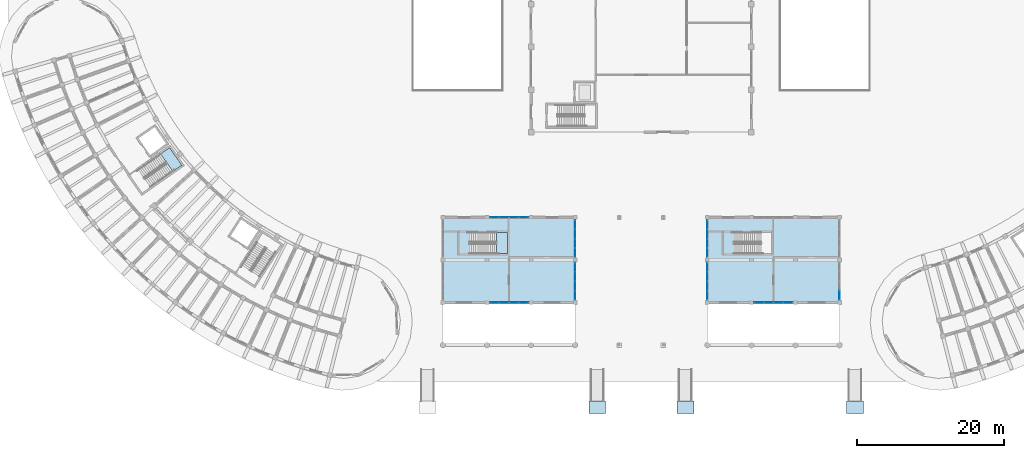
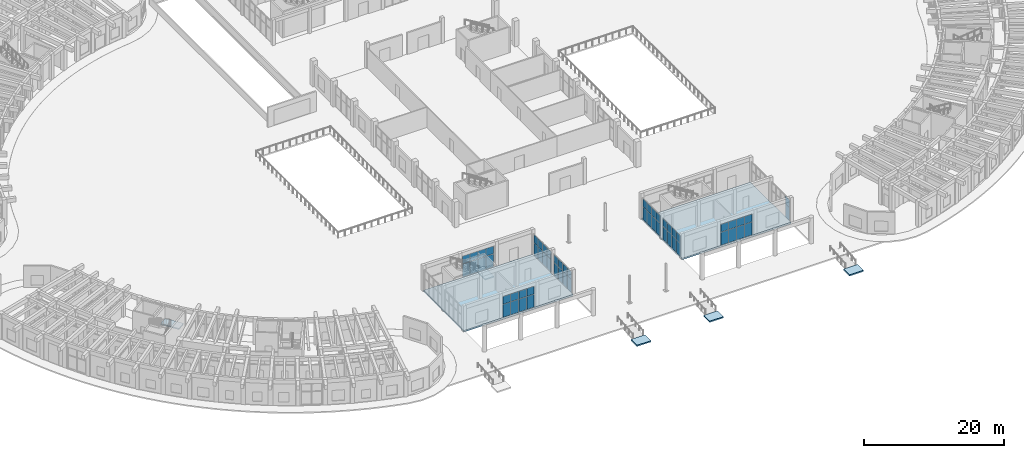
# One storey, part 72 of 132: 58 plates, 7 slabs, 10 elements without a shape of their own.
"""IFC4 building model written with IfcOpenShell, lengths in metres."""

from ifc_helpers import new_model, si_unit, direction, frame, origin, origin_2d, place, context, subcontext, project, spatial, polyline, rectangle, outline, extrude, material, layer, layer_set, type_object, element, aggregate, save


model = new_model("IFC4")

# Units and contexts
model_context = context("Model", 3, precision=1e-05, world=origin(), true_north=direction((0.0, 1.0)))
body_context = subcontext(model_context, "Body", "Model", "MODEL_VIEW")
ifc_project = project(units=[si_unit("LENGTHUNIT", "METRE"), si_unit("AREAUNIT", "SQUARE_METRE"), si_unit("VOLUMEUNIT", "CUBIC_METRE"), si_unit("PLANEANGLEUNIT", "RADIAN"), si_unit("MASSUNIT", "GRAM", prefix="KILO")], contexts=[model_context])

# Site, building, storey
site_placement = place(None, origin())
site = spatial("IfcSite", under=ifc_project, at=site_placement, CompositionType="ELEMENT")
building_placement = place(site_placement, origin())
building = spatial("IfcBuilding", under=site, at=building_placement, Name="Tanwirah Colonnade Gardens", CompositionType="ELEMENT")
storey_placement = place(building_placement, origin())
storey = spatial("IfcBuildingStorey", under=building, at=storey_placement, Name="L00", CompositionType="ELEMENT", Elevation=0.0)

# Curtain wall, plates
ifc_material_1 = material(Name="Bronze-anodised aluminium and solar-control low-E glass", Category="aluminium")
curtain_wall_type = type_object("IfcCurtainWallType", Name="CW-SHP", PredefinedType="NOTDEFINED", material=ifc_material_1)
curtain_wall_1_placement = place(storey_placement, origin())
curtain_wall_1 = element("IfcCurtainWall", 1, at=curtain_wall_1_placement, inside=storey, type_object=curtain_wall_type, Name="Curtain Wall CW-SHP-W-L00-S-1", PredefinedType="NOTDEFINED")
ifc_material_2 = material(Name="Solar-control low-E double glazing", Category="glass")
ifc_layer_1 = layer(ifc_material_2, 0.028076171875)
ifc_layer_set_1 = layer_set([ifc_layer_1], Name="Solar-control low-E double glazing")
plate_type = type_object("IfcPlateType", Name="CWP-GLZ28", PredefinedType="CURTAIN_PANEL", material=ifc_layer_set_1)
plate_1_placement = place(storey_placement, frame((73.027587890625, 16.60009765625, 0.06005859375), z_axis=(0.0, 0.0, 1.0), x_axis=(1.0, 0.0, 0.0)))
plate_1 = element("IfcPlate", 2, at=plate_1_placement, type_object=plate_type, Name="CW-SHP panel 1.1", PredefinedType="CURTAIN_PANEL", context=body_context, shape_type="SweptSolid", body=[
    extrude(rectangle(XDim=1.235107421875, YDim=0.028076171875, at=origin_2d()), origin(), (0.0, 0.0, 1.0), 2.235107421875),
])
plate_2_placement = place(storey_placement, frame((73.027587890625, 16.60009765625, 2.35498046875), z_axis=(0.0, 0.0, 1.0), x_axis=(1.0, 0.0, 0.0)))
plate_2 = element("IfcPlate", 3, at=plate_2_placement, type_object=plate_type, Name="CW-SHP panel 1.2", PredefinedType="CURTAIN_PANEL", context=body_context, shape_type="SweptSolid", body=[
    extrude(rectangle(XDim=1.235107421875, YDim=0.028076171875, at=origin_2d()), origin(), (0.0, 0.0, 1.0), 1.3349609375),
])
plate_3_placement = place(storey_placement, frame((74.33740234375, 16.60009765625, 0.06005859375), z_axis=(0.0, 0.0, 1.0), x_axis=(1.0, 0.0, 0.0)))
plate_3 = element("IfcPlate", 4, at=plate_3_placement, type_object=plate_type, Name="CW-SHP panel 2.1", PredefinedType="CURTAIN_PANEL", context=body_context, shape_type="SweptSolid", body=[
    extrude(rectangle(XDim=1.264892578125, YDim=0.028076171875, at=origin_2d()), origin(), (0.0, 0.0, 1.0), 2.235107421875),
])
plate_4_placement = place(storey_placement, frame((74.33740234375, 16.60009765625, 2.35498046875), z_axis=(0.0, 0.0, 1.0), x_axis=(1.0, 0.0, 0.0)))
plate_4 = element("IfcPlate", 5, at=plate_4_placement, type_object=plate_type, Name="CW-SHP panel 2.2", PredefinedType="CURTAIN_PANEL", context=body_context, shape_type="SweptSolid", body=[
    extrude(rectangle(XDim=1.264892578125, YDim=0.028076171875, at=origin_2d()), origin(), (0.0, 0.0, 1.0), 1.3349609375),
])
plate_5_placement = place(storey_placement, frame((75.66259765625, 16.60009765625, 0.06005859375), z_axis=(0.0, 0.0, 1.0), x_axis=(1.0, 0.0, 0.0)))
plate_5 = element("IfcPlate", 6, at=plate_5_placement, type_object=plate_type, Name="CW-SHP panel 3.1", PredefinedType="CURTAIN_PANEL", context=body_context, shape_type="SweptSolid", body=[
    extrude(rectangle(XDim=1.264892578125, YDim=0.028076171875, at=origin_2d()), origin(), (0.0, 0.0, 1.0), 2.235107421875),
])
plate_6_placement = place(storey_placement, frame((75.66259765625, 16.60009765625, 2.35498046875), z_axis=(0.0, 0.0, 1.0), x_axis=(1.0, 0.0, 0.0)))
plate_6 = element("IfcPlate", 7, at=plate_6_placement, type_object=plate_type, Name="CW-SHP panel 3.2", PredefinedType="CURTAIN_PANEL", context=body_context, shape_type="SweptSolid", body=[
    extrude(rectangle(XDim=1.264892578125, YDim=0.028076171875, at=origin_2d()), origin(), (0.0, 0.0, 1.0), 1.3349609375),
])
plate_7_placement = place(storey_placement, frame((76.972412109375, 16.60009765625, 0.06005859375), z_axis=(0.0, 0.0, 1.0), x_axis=(1.0, 0.0, 0.0)))
plate_7 = element("IfcPlate", 8, at=plate_7_placement, type_object=plate_type, Name="CW-SHP panel 4.1", PredefinedType="CURTAIN_PANEL", context=body_context, shape_type="SweptSolid", body=[
    extrude(rectangle(XDim=1.235107421875, YDim=0.028076171875, at=origin_2d()), origin(), (0.0, 0.0, 1.0), 2.235107421875),
])
plate_8_placement = place(storey_placement, frame((76.972412109375, 16.60009765625, 2.35498046875), z_axis=(0.0, 0.0, 1.0), x_axis=(1.0, 0.0, 0.0)))
plate_8 = element("IfcPlate", 9, at=plate_8_placement, type_object=plate_type, Name="CW-SHP panel 4.2", PredefinedType="CURTAIN_PANEL", context=body_context, shape_type="SweptSolid", body=[
    extrude(rectangle(XDim=1.235107421875, YDim=0.028076171875, at=origin_2d()), origin(), (0.0, 0.0, 1.0), 1.3349609375),
])
aggregate(curtain_wall_1, [plate_1, plate_2, plate_3, plate_4, plate_5, plate_6, plate_7, plate_8])

curtain_wall_2_placement = place(storey_placement, origin())
curtain_wall_2 = element("IfcCurtainWall", 10, at=curtain_wall_2_placement, inside=storey, type_object=curtain_wall_type, Name="Curtain Wall CW-SHP-W-L00-N-1", PredefinedType="NOTDEFINED")
plate_9_placement = place(storey_placement, frame((73.027587890625, 28.199951171875, 0.06005859375), z_axis=(0.0, 0.0, 1.0), x_axis=(1.0, 0.0, 0.0)))
plate_9 = element("IfcPlate", 11, at=plate_9_placement, type_object=plate_type, Name="CW-SHP panel 1.1", PredefinedType="CURTAIN_PANEL", context=body_context, shape_type="SweptSolid", body=[
    extrude(rectangle(XDim=1.235107421875, YDim=0.028076171875, at=origin_2d()), origin(), (0.0, 0.0, 1.0), 2.235107421875),
])
plate_10_placement = place(storey_placement, frame((73.027587890625, 28.199951171875, 2.35498046875), z_axis=(0.0, 0.0, 1.0), x_axis=(1.0, 0.0, 0.0)))
plate_10 = element("IfcPlate", 12, at=plate_10_placement, type_object=plate_type, Name="CW-SHP panel 1.2", PredefinedType="CURTAIN_PANEL", context=body_context, shape_type="SweptSolid", body=[
    extrude(rectangle(XDim=1.235107421875, YDim=0.028076171875, at=origin_2d()), origin(), (0.0, 0.0, 1.0), 1.3349609375),
])
plate_11_placement = place(storey_placement, frame((74.33740234375, 28.199951171875, 0.06005859375), z_axis=(0.0, 0.0, 1.0), x_axis=(1.0, 0.0, 0.0)))
plate_11 = element("IfcPlate", 13, at=plate_11_placement, type_object=plate_type, Name="CW-SHP panel 2.1", PredefinedType="CURTAIN_PANEL", context=body_context, shape_type="SweptSolid", body=[
    extrude(rectangle(XDim=1.264892578125, YDim=0.028076171875, at=origin_2d()), origin(), (0.0, 0.0, 1.0), 2.235107421875),
])
plate_12_placement = place(storey_placement, frame((74.33740234375, 28.199951171875, 2.35498046875), z_axis=(0.0, 0.0, 1.0), x_axis=(1.0, 0.0, 0.0)))
plate_12 = element("IfcPlate", 14, at=plate_12_placement, type_object=plate_type, Name="CW-SHP panel 2.2", PredefinedType="CURTAIN_PANEL", context=body_context, shape_type="SweptSolid", body=[
    extrude(rectangle(XDim=1.264892578125, YDim=0.028076171875, at=origin_2d()), origin(), (0.0, 0.0, 1.0), 1.3349609375),
])
plate_13_placement = place(storey_placement, frame((75.66259765625, 28.199951171875, 0.06005859375), z_axis=(0.0, 0.0, 1.0), x_axis=(1.0, 0.0, 0.0)))
plate_13 = element("IfcPlate", 15, at=plate_13_placement, type_object=plate_type, Name="CW-SHP panel 3.1", PredefinedType="CURTAIN_PANEL", context=body_context, shape_type="SweptSolid", body=[
    extrude(rectangle(XDim=1.264892578125, YDim=0.028076171875, at=origin_2d()), origin(), (0.0, 0.0, 1.0), 2.235107421875),
])
plate_14_placement = place(storey_placement, frame((75.66259765625, 28.199951171875, 2.35498046875), z_axis=(0.0, 0.0, 1.0), x_axis=(1.0, 0.0, 0.0)))
plate_14 = element("IfcPlate", 16, at=plate_14_placement, type_object=plate_type, Name="CW-SHP panel 3.2", PredefinedType="CURTAIN_PANEL", context=body_context, shape_type="SweptSolid", body=[
    extrude(rectangle(XDim=1.264892578125, YDim=0.028076171875, at=origin_2d()), origin(), (0.0, 0.0, 1.0), 1.3349609375),
])
plate_15_placement = place(storey_placement, frame((76.972412109375, 28.199951171875, 0.06005859375), z_axis=(0.0, 0.0, 1.0), x_axis=(1.0, 0.0, 0.0)))
plate_15 = element("IfcPlate", 17, at=plate_15_placement, type_object=plate_type, Name="CW-SHP panel 4.1", PredefinedType="CURTAIN_PANEL", context=body_context, shape_type="SweptSolid", body=[
    extrude(rectangle(XDim=1.235107421875, YDim=0.028076171875, at=origin_2d()), origin(), (0.0, 0.0, 1.0), 2.235107421875),
])
plate_16_placement = place(storey_placement, frame((76.972412109375, 28.199951171875, 2.35498046875), z_axis=(0.0, 0.0, 1.0), x_axis=(1.0, 0.0, 0.0)))
plate_16 = element("IfcPlate", 18, at=plate_16_placement, type_object=plate_type, Name="CW-SHP panel 4.2", PredefinedType="CURTAIN_PANEL", context=body_context, shape_type="SweptSolid", body=[
    extrude(rectangle(XDim=1.235107421875, YDim=0.028076171875, at=origin_2d()), origin(), (0.0, 0.0, 1.0), 1.3349609375),
])
aggregate(curtain_wall_2, [plate_9, plate_10, plate_11, plate_12, plate_13, plate_14, plate_15, plate_16])

curtain_wall_3_placement = place(storey_placement, origin())
curtain_wall_3 = element("IfcCurtainWall", 19, at=curtain_wall_3_placement, inside=storey, type_object=curtain_wall_type, Name="Curtain Wall CW-SHP-W-L00-E-1", PredefinedType="NOTDEFINED")
plate_17_placement = place(storey_placement, frame((84.0, 17.6025390625, 0.06005859375), z_axis=(0.0, 0.0, 1.0), x_axis=(0.0, 1.0, 0.0)))
plate_17 = element("IfcPlate", 20, at=plate_17_placement, type_object=plate_type, Name="CW-SHP panel 1.1", PredefinedType="CURTAIN_PANEL", context=body_context, shape_type="SweptSolid", body=[
    extrude(rectangle(XDim=1.18505859375, YDim=0.028076171875, at=origin_2d()), origin(), (0.0, 0.0, 1.0), 2.235107421875),
])
plate_18_placement = place(storey_placement, frame((84.0, 17.6025390625, 2.35498046875), z_axis=(0.0, 0.0, 1.0), x_axis=(0.0, 1.0, 0.0)))
plate_18 = element("IfcPlate", 21, at=plate_18_placement, type_object=plate_type, Name="CW-SHP panel 1.2", PredefinedType="CURTAIN_PANEL", context=body_context, shape_type="SweptSolid", body=[
    extrude(rectangle(XDim=1.18505859375, YDim=0.028076171875, at=origin_2d()), origin(), (0.0, 0.0, 1.0), 1.3349609375),
])
plate_19_placement = place(storey_placement, frame((84.0, 18.862548828125, 0.06005859375), z_axis=(0.0, 0.0, 1.0), x_axis=(0.0, 1.0, 0.0)))
plate_19 = element("IfcPlate", 22, at=plate_19_placement, type_object=plate_type, Name="CW-SHP panel 2.1", PredefinedType="CURTAIN_PANEL", context=body_context, shape_type="SweptSolid", body=[
    extrude(rectangle(XDim=1.215087890625, YDim=0.028076171875, at=origin_2d()), origin(), (0.0, 0.0, 1.0), 2.235107421875),
])
plate_20_placement = place(storey_placement, frame((84.0, 18.862548828125, 2.35498046875), z_axis=(0.0, 0.0, 1.0), x_axis=(0.0, 1.0, 0.0)))
plate_20 = element("IfcPlate", 23, at=plate_20_placement, type_object=plate_type, Name="CW-SHP panel 2.2", PredefinedType="CURTAIN_PANEL", context=body_context, shape_type="SweptSolid", body=[
    extrude(rectangle(XDim=1.215087890625, YDim=0.028076171875, at=origin_2d()), origin(), (0.0, 0.0, 1.0), 1.3349609375),
])
plate_21_placement = place(storey_placement, frame((84.0, 20.137451171875, 0.06005859375), z_axis=(0.0, 0.0, 1.0), x_axis=(0.0, 1.0, 0.0)))
plate_21 = element("IfcPlate", 24, at=plate_21_placement, type_object=plate_type, Name="CW-SHP panel 3.1", PredefinedType="CURTAIN_PANEL", context=body_context, shape_type="SweptSolid", body=[
    extrude(rectangle(XDim=1.215087890625, YDim=0.028076171875, at=origin_2d()), origin(), (0.0, 0.0, 1.0), 2.235107421875),
])
plate_22_placement = place(storey_placement, frame((84.0, 20.137451171875, 2.35498046875), z_axis=(0.0, 0.0, 1.0), x_axis=(0.0, 1.0, 0.0)))
plate_22 = element("IfcPlate", 25, at=plate_22_placement, type_object=plate_type, Name="CW-SHP panel 3.2", PredefinedType="CURTAIN_PANEL", context=body_context, shape_type="SweptSolid", body=[
    extrude(rectangle(XDim=1.215087890625, YDim=0.028076171875, at=origin_2d()), origin(), (0.0, 0.0, 1.0), 1.3349609375),
])
plate_23_placement = place(storey_placement, frame((84.0, 21.3974609375, 0.06005859375), z_axis=(0.0, 0.0, 1.0), x_axis=(0.0, 1.0, 0.0)))
plate_23 = element("IfcPlate", 26, at=plate_23_placement, type_object=plate_type, Name="CW-SHP panel 4.1", PredefinedType="CURTAIN_PANEL", context=body_context, shape_type="SweptSolid", body=[
    extrude(rectangle(XDim=1.18505859375, YDim=0.028076171875, at=origin_2d()), origin(), (0.0, 0.0, 1.0), 2.235107421875),
])
plate_24_placement = place(storey_placement, frame((84.0, 21.3974609375, 2.35498046875), z_axis=(0.0, 0.0, 1.0), x_axis=(0.0, 1.0, 0.0)))
plate_24 = element("IfcPlate", 27, at=plate_24_placement, type_object=plate_type, Name="CW-SHP panel 4.2", PredefinedType="CURTAIN_PANEL", context=body_context, shape_type="SweptSolid", body=[
    extrude(rectangle(XDim=1.18505859375, YDim=0.028076171875, at=origin_2d()), origin(), (0.0, 0.0, 1.0), 1.3349609375),
])
aggregate(curtain_wall_3, [plate_17, plate_18, plate_19, plate_20, plate_21, plate_22, plate_23, plate_24])

curtain_wall_4_placement = place(storey_placement, origin())
curtain_wall_4 = element("IfcCurtainWall", 28, at=curtain_wall_4_placement, inside=storey, type_object=curtain_wall_type, Name="Curtain Wall CW-SHP-W-L00-E-2", PredefinedType="NOTDEFINED")
plate_25_placement = place(storey_placement, frame((84.0, 23.402587890625, 0.06005859375), z_axis=(0.0, 0.0, 1.0), x_axis=(0.0, 1.0, 0.0)))
plate_25 = element("IfcPlate", 29, at=plate_25_placement, type_object=plate_type, Name="CW-SHP panel 1.1", PredefinedType="CURTAIN_PANEL", context=body_context, shape_type="SweptSolid", body=[
    extrude(rectangle(XDim=1.18505859375, YDim=0.028076171875, at=origin_2d()), origin(), (0.0, 0.0, 1.0), 2.235107421875),
])
plate_26_placement = place(storey_placement, frame((84.0, 23.402587890625, 2.35498046875), z_axis=(0.0, 0.0, 1.0), x_axis=(0.0, 1.0, 0.0)))
plate_26 = element("IfcPlate", 30, at=plate_26_placement, type_object=plate_type, Name="CW-SHP panel 1.2", PredefinedType="CURTAIN_PANEL", context=body_context, shape_type="SweptSolid", body=[
    extrude(rectangle(XDim=1.18505859375, YDim=0.028076171875, at=origin_2d()), origin(), (0.0, 0.0, 1.0), 1.3349609375),
])
plate_27_placement = place(storey_placement, frame((84.0, 24.66259765625, 0.06005859375), z_axis=(0.0, 0.0, 1.0), x_axis=(0.0, 1.0, 0.0)))
plate_27 = element("IfcPlate", 31, at=plate_27_placement, type_object=plate_type, Name="CW-SHP panel 2.1", PredefinedType="CURTAIN_PANEL", context=body_context, shape_type="SweptSolid", body=[
    extrude(rectangle(XDim=1.215087890625, YDim=0.028076171875, at=origin_2d()), origin(), (0.0, 0.0, 1.0), 2.235107421875),
])
plate_28_placement = place(storey_placement, frame((84.0, 24.66259765625, 2.35498046875), z_axis=(0.0, 0.0, 1.0), x_axis=(0.0, 1.0, 0.0)))
plate_28 = element("IfcPlate", 32, at=plate_28_placement, type_object=plate_type, Name="CW-SHP panel 2.2", PredefinedType="CURTAIN_PANEL", context=body_context, shape_type="SweptSolid", body=[
    extrude(rectangle(XDim=1.215087890625, YDim=0.028076171875, at=origin_2d()), origin(), (0.0, 0.0, 1.0), 1.3349609375),
])
plate_29_placement = place(storey_placement, frame((84.0, 25.9375, 0.06005859375), z_axis=(0.0, 0.0, 1.0), x_axis=(0.0, 1.0, 0.0)))
plate_29 = element("IfcPlate", 33, at=plate_29_placement, type_object=plate_type, Name="CW-SHP panel 3.1", PredefinedType="CURTAIN_PANEL", context=body_context, shape_type="SweptSolid", body=[
    extrude(rectangle(XDim=1.215087890625, YDim=0.028076171875, at=origin_2d()), origin(), (0.0, 0.0, 1.0), 2.235107421875),
])
plate_30_placement = place(storey_placement, frame((84.0, 25.9375, 2.35498046875), z_axis=(0.0, 0.0, 1.0), x_axis=(0.0, 1.0, 0.0)))
plate_30 = element("IfcPlate", 34, at=plate_30_placement, type_object=plate_type, Name="CW-SHP panel 3.2", PredefinedType="CURTAIN_PANEL", context=body_context, shape_type="SweptSolid", body=[
    extrude(rectangle(XDim=1.215087890625, YDim=0.028076171875, at=origin_2d()), origin(), (0.0, 0.0, 1.0), 1.3349609375),
])
plate_31_placement = place(storey_placement, frame((84.0, 27.197509765625, 0.06005859375), z_axis=(0.0, 0.0, 1.0), x_axis=(0.0, 1.0, 0.0)))
plate_31 = element("IfcPlate", 35, at=plate_31_placement, type_object=plate_type, Name="CW-SHP panel 4.1", PredefinedType="CURTAIN_PANEL", context=body_context, shape_type="SweptSolid", body=[
    extrude(rectangle(XDim=1.18505859375, YDim=0.028076171875, at=origin_2d()), origin(), (0.0, 0.0, 1.0), 2.235107421875),
])
plate_32_placement = place(storey_placement, frame((84.0, 27.197509765625, 2.35498046875), z_axis=(0.0, 0.0, 1.0), x_axis=(0.0, 1.0, 0.0)))
plate_32 = element("IfcPlate", 36, at=plate_32_placement, type_object=plate_type, Name="CW-SHP panel 4.2", PredefinedType="CURTAIN_PANEL", context=body_context, shape_type="SweptSolid", body=[
    extrude(rectangle(XDim=1.18505859375, YDim=0.028076171875, at=origin_2d()), origin(), (0.0, 0.0, 1.0), 1.3349609375),
])
aggregate(curtain_wall_4, [plate_25, plate_26, plate_27, plate_28, plate_29, plate_30, plate_31, plate_32])

curtain_wall_5_placement = place(storey_placement, origin())
curtain_wall_5 = element("IfcCurtainWall", 37, at=curtain_wall_5_placement, inside=storey, type_object=curtain_wall_type, Name="Curtain Wall CW-SHP-E-L00-S-1", PredefinedType="NOTDEFINED")
plate_33_placement = place(storey_placement, frame((109.027587890625, 16.60009765625, 0.06005859375), z_axis=(0.0, 0.0, 1.0), x_axis=(1.0, 0.0, 0.0)))
plate_33 = element("IfcPlate", 38, at=plate_33_placement, type_object=plate_type, Name="CW-SHP panel 1.1", PredefinedType="CURTAIN_PANEL", context=body_context, shape_type="SweptSolid", body=[
    extrude(rectangle(XDim=1.235107421875, YDim=0.028076171875, at=origin_2d()), origin(), (0.0, 0.0, 1.0), 2.235107421875),
])
plate_34_placement = place(storey_placement, frame((109.027587890625, 16.60009765625, 2.35498046875), z_axis=(0.0, 0.0, 1.0), x_axis=(1.0, 0.0, 0.0)))
plate_34 = element("IfcPlate", 39, at=plate_34_placement, type_object=plate_type, Name="CW-SHP panel 1.2", PredefinedType="CURTAIN_PANEL", context=body_context, shape_type="SweptSolid", body=[
    extrude(rectangle(XDim=1.235107421875, YDim=0.028076171875, at=origin_2d()), origin(), (0.0, 0.0, 1.0), 1.3349609375),
])
plate_35_placement = place(storey_placement, frame((110.33740234375, 16.60009765625, 0.06005859375), z_axis=(0.0, 0.0, 1.0), x_axis=(1.0, 0.0, 0.0)))
plate_35 = element("IfcPlate", 40, at=plate_35_placement, type_object=plate_type, Name="CW-SHP panel 2.1", PredefinedType="CURTAIN_PANEL", context=body_context, shape_type="SweptSolid", body=[
    extrude(rectangle(XDim=1.264892578125, YDim=0.028076171875, at=origin_2d()), origin(), (0.0, 0.0, 1.0), 2.235107421875),
])
plate_36_placement = place(storey_placement, frame((110.33740234375, 16.60009765625, 2.35498046875), z_axis=(0.0, 0.0, 1.0), x_axis=(1.0, 0.0, 0.0)))
plate_36 = element("IfcPlate", 41, at=plate_36_placement, type_object=plate_type, Name="CW-SHP panel 2.2", PredefinedType="CURTAIN_PANEL", context=body_context, shape_type="SweptSolid", body=[
    extrude(rectangle(XDim=1.264892578125, YDim=0.028076171875, at=origin_2d()), origin(), (0.0, 0.0, 1.0), 1.3349609375),
])
plate_37_placement = place(storey_placement, frame((111.66259765625, 16.60009765625, 0.06005859375), z_axis=(0.0, 0.0, 1.0), x_axis=(1.0, 0.0, 0.0)))
plate_37 = element("IfcPlate", 42, at=plate_37_placement, type_object=plate_type, Name="CW-SHP panel 3.1", PredefinedType="CURTAIN_PANEL", context=body_context, shape_type="SweptSolid", body=[
    extrude(rectangle(XDim=1.264892578125, YDim=0.028076171875, at=origin_2d()), origin(), (0.0, 0.0, 1.0), 2.235107421875),
])
plate_38_placement = place(storey_placement, frame((111.66259765625, 16.60009765625, 2.35498046875), z_axis=(0.0, 0.0, 1.0), x_axis=(1.0, 0.0, 0.0)))
plate_38 = element("IfcPlate", 43, at=plate_38_placement, type_object=plate_type, Name="CW-SHP panel 3.2", PredefinedType="CURTAIN_PANEL", context=body_context, shape_type="SweptSolid", body=[
    extrude(rectangle(XDim=1.264892578125, YDim=0.028076171875, at=origin_2d()), origin(), (0.0, 0.0, 1.0), 1.3349609375),
])
plate_39_placement = place(storey_placement, frame((112.972412109375, 16.60009765625, 0.06005859375), z_axis=(0.0, 0.0, 1.0), x_axis=(1.0, 0.0, 0.0)))
plate_39 = element("IfcPlate", 44, at=plate_39_placement, type_object=plate_type, Name="CW-SHP panel 4.1", PredefinedType="CURTAIN_PANEL", context=body_context, shape_type="SweptSolid", body=[
    extrude(rectangle(XDim=1.235107421875, YDim=0.028076171875, at=origin_2d()), origin(), (0.0, 0.0, 1.0), 2.235107421875),
])
plate_40_placement = place(storey_placement, frame((112.972412109375, 16.60009765625, 2.35498046875), z_axis=(0.0, 0.0, 1.0), x_axis=(1.0, 0.0, 0.0)))
plate_40 = element("IfcPlate", 45, at=plate_40_placement, type_object=plate_type, Name="CW-SHP panel 4.2", PredefinedType="CURTAIN_PANEL", context=body_context, shape_type="SweptSolid", body=[
    extrude(rectangle(XDim=1.235107421875, YDim=0.028076171875, at=origin_2d()), origin(), (0.0, 0.0, 1.0), 1.3349609375),
])
aggregate(curtain_wall_5, [plate_33, plate_34, plate_35, plate_36, plate_37, plate_38, plate_39, plate_40])

curtain_wall_6_placement = place(storey_placement, origin())
curtain_wall_6 = element("IfcCurtainWall", 46, at=curtain_wall_6_placement, inside=storey, type_object=curtain_wall_type, Name="Curtain Wall CW-SHP-E-L00-W-1", PredefinedType="NOTDEFINED")
plate_41_placement = place(storey_placement, frame((102.0, 17.6025390625, 0.06005859375), z_axis=(0.0, 0.0, 1.0), x_axis=(0.0, 1.0, 0.0)))
plate_41 = element("IfcPlate", 47, at=plate_41_placement, type_object=plate_type, Name="CW-SHP panel 1.1", PredefinedType="CURTAIN_PANEL", context=body_context, shape_type="SweptSolid", body=[
    extrude(rectangle(XDim=1.18505859375, YDim=0.028076171875, at=origin_2d()), origin(), (0.0, 0.0, 1.0), 2.235107421875),
])
plate_42_placement = place(storey_placement, frame((102.0, 17.6025390625, 2.35498046875), z_axis=(0.0, 0.0, 1.0), x_axis=(0.0, 1.0, 0.0)))
plate_42 = element("IfcPlate", 48, at=plate_42_placement, type_object=plate_type, Name="CW-SHP panel 1.2", PredefinedType="CURTAIN_PANEL", context=body_context, shape_type="SweptSolid", body=[
    extrude(rectangle(XDim=1.18505859375, YDim=0.028076171875, at=origin_2d()), origin(), (0.0, 0.0, 1.0), 1.3349609375),
])
plate_43_placement = place(storey_placement, frame((102.0, 18.862548828125, 0.06005859375), z_axis=(0.0, 0.0, 1.0), x_axis=(0.0, 1.0, 0.0)))
plate_43 = element("IfcPlate", 49, at=plate_43_placement, type_object=plate_type, Name="CW-SHP panel 2.1", PredefinedType="CURTAIN_PANEL", context=body_context, shape_type="SweptSolid", body=[
    extrude(rectangle(XDim=1.215087890625, YDim=0.028076171875, at=origin_2d()), origin(), (0.0, 0.0, 1.0), 2.235107421875),
])
plate_44_placement = place(storey_placement, frame((102.0, 18.862548828125, 2.35498046875), z_axis=(0.0, 0.0, 1.0), x_axis=(0.0, 1.0, 0.0)))
plate_44 = element("IfcPlate", 50, at=plate_44_placement, type_object=plate_type, Name="CW-SHP panel 2.2", PredefinedType="CURTAIN_PANEL", context=body_context, shape_type="SweptSolid", body=[
    extrude(rectangle(XDim=1.215087890625, YDim=0.028076171875, at=origin_2d()), origin(), (0.0, 0.0, 1.0), 1.3349609375),
])
plate_45_placement = place(storey_placement, frame((102.0, 20.137451171875, 0.06005859375), z_axis=(0.0, 0.0, 1.0), x_axis=(0.0, 1.0, 0.0)))
plate_45 = element("IfcPlate", 51, at=plate_45_placement, type_object=plate_type, Name="CW-SHP panel 3.1", PredefinedType="CURTAIN_PANEL", context=body_context, shape_type="SweptSolid", body=[
    extrude(rectangle(XDim=1.215087890625, YDim=0.028076171875, at=origin_2d()), origin(), (0.0, 0.0, 1.0), 2.235107421875),
])
plate_46_placement = place(storey_placement, frame((102.0, 20.137451171875, 2.35498046875), z_axis=(0.0, 0.0, 1.0), x_axis=(0.0, 1.0, 0.0)))
plate_46 = element("IfcPlate", 52, at=plate_46_placement, type_object=plate_type, Name="CW-SHP panel 3.2", PredefinedType="CURTAIN_PANEL", context=body_context, shape_type="SweptSolid", body=[
    extrude(rectangle(XDim=1.215087890625, YDim=0.028076171875, at=origin_2d()), origin(), (0.0, 0.0, 1.0), 1.3349609375),
])
plate_47_placement = place(storey_placement, frame((102.0, 21.3974609375, 0.06005859375), z_axis=(0.0, 0.0, 1.0), x_axis=(0.0, 1.0, 0.0)))
plate_47 = element("IfcPlate", 53, at=plate_47_placement, type_object=plate_type, Name="CW-SHP panel 4.1", PredefinedType="CURTAIN_PANEL", context=body_context, shape_type="SweptSolid", body=[
    extrude(rectangle(XDim=1.18505859375, YDim=0.028076171875, at=origin_2d()), origin(), (0.0, 0.0, 1.0), 2.235107421875),
])
plate_48_placement = place(storey_placement, frame((102.0, 21.3974609375, 2.35498046875), z_axis=(0.0, 0.0, 1.0), x_axis=(0.0, 1.0, 0.0)))
plate_48 = element("IfcPlate", 54, at=plate_48_placement, type_object=plate_type, Name="CW-SHP panel 4.2", PredefinedType="CURTAIN_PANEL", context=body_context, shape_type="SweptSolid", body=[
    extrude(rectangle(XDim=1.18505859375, YDim=0.028076171875, at=origin_2d()), origin(), (0.0, 0.0, 1.0), 1.3349609375),
])
aggregate(curtain_wall_6, [plate_41, plate_42, plate_43, plate_44, plate_45, plate_46, plate_47, plate_48])

curtain_wall_7_placement = place(storey_placement, origin())
curtain_wall_7 = element("IfcCurtainWall", 55, at=curtain_wall_7_placement, inside=storey, type_object=curtain_wall_type, Name="Curtain Wall CW-SHP-E-L00-W-2", PredefinedType="NOTDEFINED")
plate_49_placement = place(storey_placement, frame((102.0, 23.402587890625, 0.06005859375), z_axis=(0.0, 0.0, 1.0), x_axis=(0.0, 1.0, 0.0)))
plate_49 = element("IfcPlate", 56, at=plate_49_placement, type_object=plate_type, Name="CW-SHP panel 1.1", PredefinedType="CURTAIN_PANEL", context=body_context, shape_type="SweptSolid", body=[
    extrude(rectangle(XDim=1.18505859375, YDim=0.028076171875, at=origin_2d()), origin(), (0.0, 0.0, 1.0), 2.235107421875),
])
plate_50_placement = place(storey_placement, frame((102.0, 23.402587890625, 2.35498046875), z_axis=(0.0, 0.0, 1.0), x_axis=(0.0, 1.0, 0.0)))
plate_50 = element("IfcPlate", 57, at=plate_50_placement, type_object=plate_type, Name="CW-SHP panel 1.2", PredefinedType="CURTAIN_PANEL", context=body_context, shape_type="SweptSolid", body=[
    extrude(rectangle(XDim=1.18505859375, YDim=0.028076171875, at=origin_2d()), origin(), (0.0, 0.0, 1.0), 1.3349609375),
])
plate_51_placement = place(storey_placement, frame((102.0, 24.66259765625, 0.06005859375), z_axis=(0.0, 0.0, 1.0), x_axis=(0.0, 1.0, 0.0)))
plate_51 = element("IfcPlate", 58, at=plate_51_placement, type_object=plate_type, Name="CW-SHP panel 2.1", PredefinedType="CURTAIN_PANEL", context=body_context, shape_type="SweptSolid", body=[
    extrude(rectangle(XDim=1.215087890625, YDim=0.028076171875, at=origin_2d()), origin(), (0.0, 0.0, 1.0), 2.235107421875),
])
plate_52_placement = place(storey_placement, frame((102.0, 24.66259765625, 2.35498046875), z_axis=(0.0, 0.0, 1.0), x_axis=(0.0, 1.0, 0.0)))
plate_52 = element("IfcPlate", 59, at=plate_52_placement, type_object=plate_type, Name="CW-SHP panel 2.2", PredefinedType="CURTAIN_PANEL", context=body_context, shape_type="SweptSolid", body=[
    extrude(rectangle(XDim=1.215087890625, YDim=0.028076171875, at=origin_2d()), origin(), (0.0, 0.0, 1.0), 1.3349609375),
])
plate_53_placement = place(storey_placement, frame((102.0, 25.9375, 0.06005859375), z_axis=(0.0, 0.0, 1.0), x_axis=(0.0, 1.0, 0.0)))
plate_53 = element("IfcPlate", 60, at=plate_53_placement, type_object=plate_type, Name="CW-SHP panel 3.1", PredefinedType="CURTAIN_PANEL", context=body_context, shape_type="SweptSolid", body=[
    extrude(rectangle(XDim=1.215087890625, YDim=0.028076171875, at=origin_2d()), origin(), (0.0, 0.0, 1.0), 2.235107421875),
])
plate_54_placement = place(storey_placement, frame((102.0, 25.9375, 2.35498046875), z_axis=(0.0, 0.0, 1.0), x_axis=(0.0, 1.0, 0.0)))
plate_54 = element("IfcPlate", 61, at=plate_54_placement, type_object=plate_type, Name="CW-SHP panel 3.2", PredefinedType="CURTAIN_PANEL", context=body_context, shape_type="SweptSolid", body=[
    extrude(rectangle(XDim=1.215087890625, YDim=0.028076171875, at=origin_2d()), origin(), (0.0, 0.0, 1.0), 1.3349609375),
])
plate_55_placement = place(storey_placement, frame((102.0, 27.197509765625, 0.06005859375), z_axis=(0.0, 0.0, 1.0), x_axis=(0.0, 1.0, 0.0)))
plate_55 = element("IfcPlate", 62, at=plate_55_placement, type_object=plate_type, Name="CW-SHP panel 4.1", PredefinedType="CURTAIN_PANEL", context=body_context, shape_type="SweptSolid", body=[
    extrude(rectangle(XDim=1.18505859375, YDim=0.028076171875, at=origin_2d()), origin(), (0.0, 0.0, 1.0), 2.235107421875),
])
plate_56_placement = place(storey_placement, frame((102.0, 27.197509765625, 2.35498046875), z_axis=(0.0, 0.0, 1.0), x_axis=(0.0, 1.0, 0.0)))
plate_56 = element("IfcPlate", 63, at=plate_56_placement, type_object=plate_type, Name="CW-SHP panel 4.2", PredefinedType="CURTAIN_PANEL", context=body_context, shape_type="SweptSolid", body=[
    extrude(rectangle(XDim=1.18505859375, YDim=0.028076171875, at=origin_2d()), origin(), (0.0, 0.0, 1.0), 1.3349609375),
])
aggregate(curtain_wall_7, [plate_49, plate_50, plate_51, plate_52, plate_53, plate_54, plate_55, plate_56])

curtain_wall_8_placement = place(storey_placement, origin())
curtain_wall_8 = element("IfcCurtainWall", 64, at=curtain_wall_8_placement, inside=storey, type_object=curtain_wall_type, Name="Curtain Wall CW-SHP-E-L00-E-1", PredefinedType="NOTDEFINED")
plate_57_placement = place(storey_placement, frame((120.0, 17.6025390625, 0.06005859375), z_axis=(0.0, 0.0, 1.0), x_axis=(0.0, 1.0, 0.0)))
plate_57 = element("IfcPlate", 65, at=plate_57_placement, type_object=plate_type, Name="CW-SHP panel 1.1", PredefinedType="CURTAIN_PANEL", context=body_context, shape_type="SweptSolid", body=[
    extrude(rectangle(XDim=1.18505859375, YDim=0.028076171875, at=origin_2d()), origin(), (0.0, 0.0, 1.0), 2.235107421875),
])
plate_58_placement = place(storey_placement, frame((120.0, 17.6025390625, 2.35498046875), z_axis=(0.0, 0.0, 1.0), x_axis=(0.0, 1.0, 0.0)))
plate_58 = element("IfcPlate", 66, at=plate_58_placement, type_object=plate_type, Name="CW-SHP panel 1.2", PredefinedType="CURTAIN_PANEL", context=body_context, shape_type="SweptSolid", body=[
    extrude(rectangle(XDim=1.18505859375, YDim=0.028076171875, at=origin_2d()), origin(), (0.0, 0.0, 1.0), 1.3349609375),
])
aggregate(curtain_wall_8, [plate_57, plate_58])

# Stair, slab
ifc_material_3 = material(Name="Precast concrete C40/50", Category="concrete")
stair_type_1 = type_object("IfcStairType", Name="ST-RES170", PredefinedType="HALF_TURN_STAIR", material=ifc_material_3)
stair_1_placement = place(storey_placement, origin())
stair_1 = element("IfcStair", 67, at=stair_1_placement, inside=storey, type_object=stair_type_1, Name="L00 Block C Core 1 Exit Stair", PredefinedType="HALF_TURN_STAIR")
ifc_layer_2 = layer(ifc_material_3, 0.205078125)
ifc_layer_set_2 = layer_set([ifc_layer_2], Name="Precast concrete C40/50")
slab_type_1 = type_object("IfcSlabType", Name="SL-LND-205", PredefinedType="LANDING", material=ifc_layer_set_2)
slab_1_placement = place(storey_placement, frame((0.0, 0.0, 2.175048828125)))
slab_1 = element("IfcSlab", 68, at=slab_1_placement, type_object=slab_type_1, Name="ST-C1 landing 1", PredefinedType="LANDING", context=body_context, shape_type="SweptSolid", body=[
    extrude(outline(polyline([(29.22412109375, 34.4443359375), (30.448974609375, 35.3017578125), (28.77392578125, 37.69384765625), (27.54931640625, 36.836181640625), (29.22412109375, 34.4443359375)])), origin(), (0.0, 0.0, 1.0), 0.204833984375),
])
aggregate(stair_1, [slab_1])

stair_type_2 = type_object("IfcStairType", Name="ST-PAV170", PredefinedType="HALF_TURN_STAIR", material=ifc_material_3)
stair_2_placement = place(storey_placement, origin())
stair_2 = element("IfcStair", 69, at=stair_2_placement, inside=storey, type_object=stair_type_2, Name="L00 West Boulevard Shops Exit Stair", PredefinedType="HALF_TURN_STAIR")
slab_2_placement = place(storey_placement, frame((0.0, 0.0, 2.175048828125)))
slab_2 = element("IfcSlab", 70, at=slab_2_placement, type_object=slab_type_1, Name="ST-SW landing 1", PredefinedType="LANDING", context=body_context, shape_type="SweptSolid", body=[
    extrude(outline(polyline([(73.304931640625, 23.25), (74.800048828125, 23.25), (74.800048828125, 26.169921875), (73.304931640625, 26.169921875), (73.304931640625, 23.25)])), origin(), (0.0, 0.0, 1.0), 0.204833984375),
])
aggregate(stair_2, [slab_2])

# Slabs
ifc_material_4 = material(Name="Concrete C45/55", Category="concrete")
ifc_layer_3 = layer(ifc_material_4, 0.22998046875)
ifc_layer_set_3 = layer_set([ifc_layer_3], Name="Concrete C45/55")
slab_type_2 = type_object("IfcSlabType", Name="SL-PAV-230", PredefinedType="USERDEFINED", material=ifc_layer_set_3)
slab_3_placement = place(storey_placement, frame((0.0, 0.0, -0.590087890625)))
element("IfcSlab", 71, at=slab_3_placement, inside=storey, type_object=slab_type_2, Name="Accessible Ramp PED-CW Street Foot Apron", ObjectType="PAVING", PredefinedType="USERDEFINED", context=body_context, shape_type="SweptSolid", body=[
    extrude(outline(polyline([(85.85009765625, 1.47998046875), (88.14990234375, 1.47998046875), (88.14990234375, 3.18994140625), (85.85009765625, 3.18994140625), (85.85009765625, 1.47998046875)])), origin(), (0.0, 0.0, 1.0), 0.22998046875),
])
slab_4_placement = place(storey_placement, frame((0.0, 0.0, -0.590087890625)))
element("IfcSlab", 72, at=slab_4_placement, inside=storey, type_object=slab_type_2, Name="Accessible Ramp PED-CE Street Foot Apron", ObjectType="PAVING", PredefinedType="USERDEFINED", context=body_context, shape_type="SweptSolid", body=[
    extrude(outline(polyline([(97.85009765625, 1.47998046875), (100.14990234375, 1.47998046875), (100.14990234375, 3.18994140625), (97.85009765625, 3.18994140625), (97.85009765625, 1.47998046875)])), origin(), (0.0, 0.0, 1.0), 0.22998046875),
])
slab_5_placement = place(storey_placement, frame((0.0, 0.0, -0.590087890625)))
element("IfcSlab", 73, at=slab_5_placement, inside=storey, type_object=slab_type_2, Name="Accessible Ramp PED-E Street Foot Apron", ObjectType="PAVING", PredefinedType="USERDEFINED", context=body_context, shape_type="SweptSolid", body=[
    extrude(outline(polyline([(120.949951171875, 1.47998046875), (123.25, 1.47998046875), (123.25, 3.18994140625), (120.949951171875, 3.18994140625), (120.949951171875, 1.47998046875)])), origin(), (0.0, 0.0, 1.0), 0.22998046875),
])
ifc_layer_4 = layer(ifc_material_3, 0.27001953125)
ifc_layer_set_4 = layer_set([ifc_layer_4], Name="Precast concrete C40/50")
slab_type_3 = type_object("IfcSlabType", Name="SL-SHP-270", PredefinedType="FLOOR", material=ifc_layer_set_4)
slab_6_placement = place(storey_placement, frame((0.0, 0.0, -0.27001953125)))
element("IfcSlab", 74, at=slab_6_placement, inside=storey, type_object=slab_type_3, Name="Boulevard Shops W L00 Floor Slab", PredefinedType="FLOOR", context=body_context, shape_type="SweptSolid", body=[
    extrude(outline(polyline([(84.0, 16.60009765625), (84.0, 28.199951171875), (66.0, 28.199951171875), (66.0, 16.60009765625), (84.0, 16.60009765625)])), origin(), (0.0, 0.0, 1.0), 0.27001953125),
])
slab_7_placement = place(storey_placement, frame((0.0, 0.0, -0.27001953125)))
element("IfcSlab", 75, at=slab_7_placement, inside=storey, type_object=slab_type_3, Name="Boulevard Shops E L00 Floor Slab", PredefinedType="FLOOR", context=body_context, shape_type="SweptSolid", body=[
    extrude(outline(polyline([(120.0, 16.60009765625), (120.0, 28.199951171875), (102.0, 28.199951171875), (102.0, 16.60009765625), (120.0, 16.60009765625)])), origin(), (0.0, 0.0, 1.0), 0.27001953125),
])

save(model, "model.ifc")
